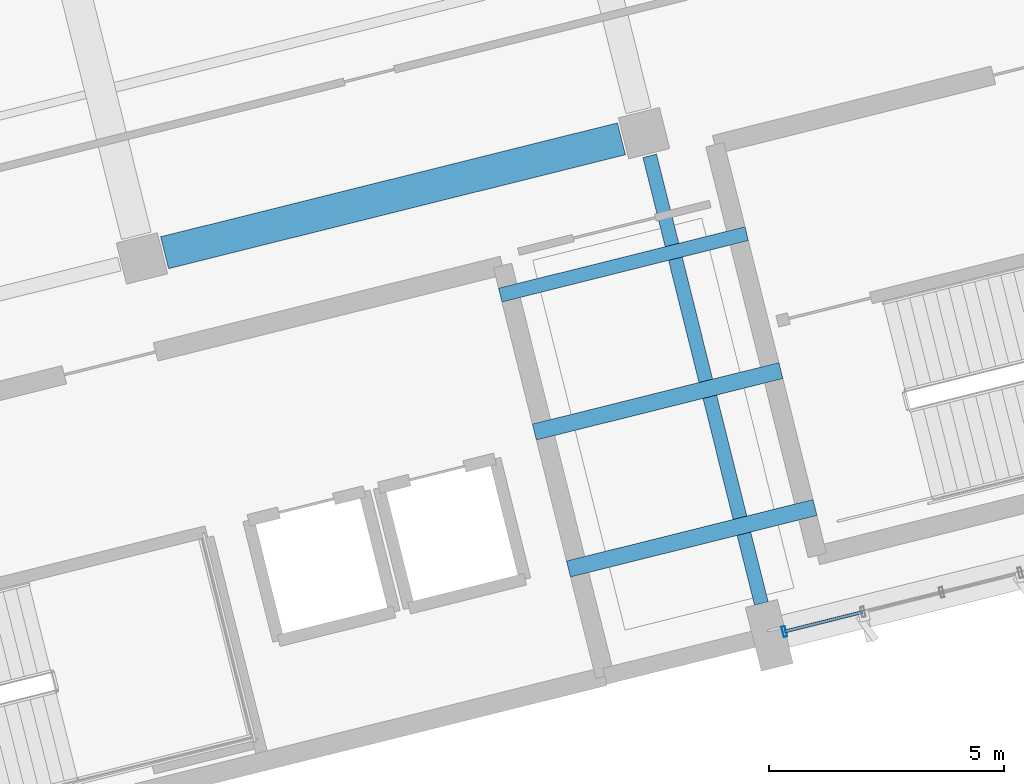
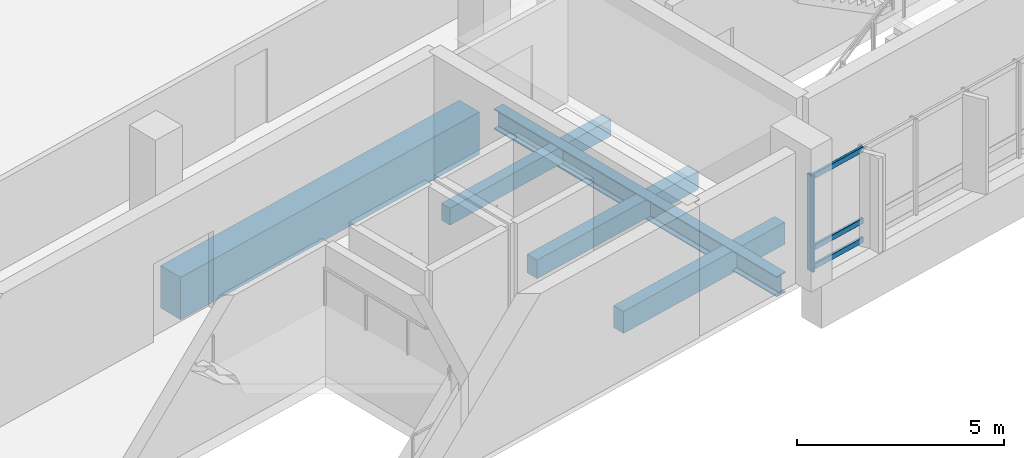
# One storey, part 3 of 42: 5 beams, 4 members, 1 element without a shape of its own.
"""IFC4 building model written with IfcOpenShell, lengths in metres."""

from ifc_helpers import new_model, si_unit, direction, frame, origin, origin_2d, place, context, subcontext, project, spatial, rectangle, hollow_rectangle, i_section, extrude, material, layer, layer_set, material_profile, profile_set, type_object, element, aggregate, save


model = new_model("IFC4")

# Units and contexts
model_context = context("Model", 3, precision=1e-05, world=origin(), true_north=direction((0.0, 1.0)))
body_context = subcontext(model_context, "Body", "Model", "MODEL_VIEW")
ifc_project = project(units=[si_unit("LENGTHUNIT", "METRE"), si_unit("AREAUNIT", "SQUARE_METRE"), si_unit("VOLUMEUNIT", "CUBIC_METRE"), si_unit("PLANEANGLEUNIT", "RADIAN"), si_unit("MASSUNIT", "GRAM", prefix="KILO")], contexts=[model_context])

# Site, building, storey
site_placement = place(None, origin())
site = spatial("IfcSite", under=ifc_project, at=site_placement, CompositionType="ELEMENT")
building_placement = place(site_placement, origin())
building = spatial("IfcBuilding", under=site, at=building_placement, Name="Khorjan Park Terminus", CompositionType="ELEMENT")
storey_placement = place(building_placement, frame((0.0, 0.0, 20.4)))
storey = spatial("IfcBuildingStorey", under=building, at=storey_placement, Name="L04", CompositionType="ELEMENT", Elevation=20.4)

# Beams
ifc_material_1 = material(Name="Steel S355", Category="steel")
ifc_material_profile_1 = material_profile(ifc_material_1, i_section(OverallWidth=0.3, OverallDepth=0.6, WebThickness=0.0155, FlangeThickness=0.03, FilletRadius=0.027, at=origin_2d()), Name="HEB 600")
ifc_profile_set_1 = profile_set([ifc_material_profile_1], Name="Steel S355")
beam_type_1 = type_object("IfcBeamType", Name="BM-HEB600", PredefinedType="BEAM", material=ifc_profile_set_1)
beam_1_placement = place(storey_placement, frame((197.8516, 10.6578, -0.64), z_axis=(-0.241916758476, 0.97029700709, 0.0), x_axis=(-0.97029700709, -0.241916758476, 0.0)))
element("IfcBeam", 1, at=beam_1_placement, inside=storey, type_object=beam_type_1, Name="Primary skew-grid floor girder SB-B60 (L04)", PredefinedType="BEAM", context=body_context, shape_type="SweptSolid", body=[
    extrude(i_section(OverallWidth=0.3, OverallDepth=0.6, WebThickness=0.0155, FlangeThickness=0.03, FilletRadius=0.027, at=origin_2d()), origin(), (0.0, 0.0, 1.0), 9.81),
])
ifc_material_2 = material(Name="Concrete C40/50", Category="concrete")
ifc_material_profile_2 = material_profile(ifc_material_2, rectangle(XDim=0.7, YDim=1.25, at=origin_2d()), Name="RC 700x1250")
ifc_profile_set_2 = profile_set([ifc_material_profile_2], Name="Concrete C40/50")
beam_type_2 = type_object("IfcBeamType", Name="BM-RC700x1250", PredefinedType="BEAM", material=ifc_profile_set_2)
beam_2_placement = place(storey_placement, frame((185.1657, 18.1153, -0.965), z_axis=(0.970296269392, 0.24191971727, 0.0), x_axis=(-0.24191971727, 0.970296269392, 0.0)))
element("IfcBeam", 2, at=beam_2_placement, inside=storey, type_object=beam_type_2, Name="Primary skew-grid floor girder GB-125 (L04)", PredefinedType="BEAM", context=body_context, shape_type="SweptSolid", body=[
    extrude(rectangle(XDim=0.7, YDim=1.25, at=origin_2d()), origin(), (0.0, 0.0, 1.0), 10.0099),
])
ifc_material_profile_3 = material_profile(ifc_material_2, rectangle(XDim=0.3, YDim=0.5, at=origin_2d()), Name="RC 300x500")
ifc_profile_set_3 = profile_set([ifc_material_profile_3], Name="Concrete C40/50")
beam_type_3 = type_object("IfcBeamType", Name="LN-RC300x500", PredefinedType="LINTEL", material=ifc_profile_set_3)
beam_3_placement = place(storey_placement, frame((192.3005, 17.2146, -0.61), z_axis=(0.97029481357, 0.241925556235, 0.0), x_axis=(-0.241925556235, 0.97029481357, 0.0)))
element("IfcBeam", 3, at=beam_3_placement, inside=storey, type_object=beam_type_3, Name="Inter-core coupling lintel beam LN-50 (L04)", PredefinedType="LINTEL", context=body_context, shape_type="SweptSolid", body=[
    extrude(rectangle(XDim=0.3, YDim=0.5, at=origin_2d()), origin(), (0.0, 0.0, 1.0), 5.4),
])
ifc_material_profile_4 = material_profile(ifc_material_2, rectangle(XDim=0.35, YDim=0.55, at=origin_2d()), Name="RC 350x550")
ifc_profile_set_4 = profile_set([ifc_material_profile_4], Name="Concrete C40/50")
beam_type_4 = type_object("IfcBeamType", Name="LN-RC350x550", PredefinedType="LINTEL", material=ifc_profile_set_4)
beam_4_placement = place(storey_placement, frame((193.0263, 14.3037, -0.635), z_axis=(0.97029481357, 0.241925556235, 0.0), x_axis=(-0.241925556235, 0.97029481357, 0.0)))
element("IfcBeam", 4, at=beam_4_placement, inside=storey, type_object=beam_type_4, Name="Inter-core coupling lintel beam LN-55 (L04)", PredefinedType="LINTEL", context=body_context, shape_type="SweptSolid", body=[
    extrude(rectangle(XDim=0.35, YDim=0.55, at=origin_2d()), origin(), (0.0, 0.0, 1.0), 5.4),
])
ifc_material_profile_5 = material_profile(ifc_material_2, rectangle(XDim=0.35, YDim=0.65, at=origin_2d()), Name="RC 350x650")
ifc_profile_set_5 = profile_set([ifc_material_profile_5], Name="Concrete C40/50")
beam_type_5 = type_object("IfcBeamType", Name="LN-RC350x650", PredefinedType="LINTEL", material=ifc_profile_set_5)
beam_5_placement = place(storey_placement, frame((193.752, 11.3928, -0.685), z_axis=(0.97029481357, 0.241925556235, 0.0), x_axis=(-0.241925556235, 0.97029481357, 0.0)))
element("IfcBeam", 5, at=beam_5_placement, inside=storey, type_object=beam_type_5, Name="Inter-core coupling lintel beam LN-65 (L04)", PredefinedType="LINTEL", context=body_context, shape_type="SweptSolid", body=[
    extrude(rectangle(XDim=0.35, YDim=0.65, at=origin_2d()), origin(), (0.0, 0.0, 1.0), 5.4),
])

# Curtain wall, members
ifc_material_3 = material(Name="Anodized Bronze Aluminium", Category="aluminium")
ifc_layer = layer(ifc_material_3, 0.22)
ifc_layer_set = layer_set([ifc_layer], Name="Anodized Bronze Aluminium")
curtain_wall_type = type_object("IfcCurtainWallType", Name="CW-OPS-B", PredefinedType="NOTDEFINED", material=ifc_layer_set)
curtain_wall_placement = place(storey_placement, origin())
curtain_wall = element("IfcCurtainWall", 6, at=curtain_wall_placement, inside=storey, type_object=curtain_wall_type, Name="Unitized curtain wall CW-B (CW-V5-S-L04-B03)", PredefinedType="NOTDEFINED")
ifc_material_profile_6 = material_profile(ifc_material_3, hollow_rectangle(XDim=0.075, YDim=0.225, WallThickness=0.005, InnerFilletRadius=0.005, OuterFilletRadius=0.01, at=origin_2d()), Name="ALM 75x225x5")
ifc_profile_set_6 = profile_set([ifc_material_profile_6], Name="Anodized Bronze Aluminium")
member_type_1 = type_object("IfcMemberType", Name="ML-ALM-225", PredefinedType="MULLION", material=ifc_profile_set_6)
member_1_placement = place(storey_placement, frame((198.3401, 10.0633, -0.035), z_axis=(0.0, 0.0, 1.0), x_axis=(0.970294772494, 0.241925720978, 0.0)))
member_1 = element("IfcMember", 7, at=member_1_placement, type_object=member_type_1, Name="Curtain-wall mullion ML-22 (CW-V5-S-L04-B03-0)", PredefinedType="MULLION", context=body_context, shape_type="SweptSolid", body=[
    extrude(hollow_rectangle(XDim=0.075, YDim=0.225, WallThickness=0.005, InnerFilletRadius=0.005, OuterFilletRadius=0.01, at=origin_2d()), origin(), (0.0, 0.0, 1.0), 2.815),
])
ifc_material_profile_7 = material_profile(ifc_material_3, hollow_rectangle(XDim=0.07, YDim=0.16, WallThickness=0.004, InnerFilletRadius=0.004, OuterFilletRadius=0.008, at=origin_2d()), Name="ALT 70x160x4")
ifc_profile_set_7 = profile_set([ifc_material_profile_7], Name="Anodized Bronze Aluminium")
member_type_2 = type_object("IfcMemberType", Name="TR-ALT-160", PredefinedType="USERDEFINED", material=ifc_profile_set_7)
member_2_placement = place(storey_placement, frame((198.3401, 10.0633, 0.04), z_axis=(0.970295910649, 0.241921156121, 0.0), x_axis=(-0.241921156121, 0.970295910649, 0.0)))
member_2 = element("IfcMember", 8, at=member_2_placement, type_object=member_type_2, Name="Curtain-wall transom TR-16 (CW-V5-S-L04-B03-0-1)", ObjectType="TRANSOM", PredefinedType="USERDEFINED", context=body_context, shape_type="SweptSolid", body=[
    extrude(hollow_rectangle(XDim=0.07, YDim=0.16, WallThickness=0.004, InnerFilletRadius=0.004, OuterFilletRadius=0.008, at=origin_2d()), origin(), (0.0, 0.0, 1.0), 1.7233),
])
member_3_placement = place(storey_placement, frame((198.3401, 10.0633, 0.604), z_axis=(0.970295910649, 0.241921156121, 0.0), x_axis=(-0.241921156121, 0.970295910649, 0.0)))
member_3 = element("IfcMember", 9, at=member_3_placement, type_object=member_type_2, Name="Curtain-wall transom TR-16 (CW-V5-S-L04-B03-0-2)", ObjectType="TRANSOM", PredefinedType="USERDEFINED", context=body_context, shape_type="SweptSolid", body=[
    extrude(hollow_rectangle(XDim=0.07, YDim=0.16, WallThickness=0.004, InnerFilletRadius=0.004, OuterFilletRadius=0.008, at=origin_2d()), origin(), (0.0, 0.0, 1.0), 1.7233),
])
member_4_placement = place(storey_placement, frame((198.3401, 10.0633, 2.705), z_axis=(0.970295910649, 0.241921156121, 0.0), x_axis=(-0.241921156121, 0.970295910649, 0.0)))
member_4 = element("IfcMember", 10, at=member_4_placement, type_object=member_type_2, Name="Curtain-wall transom TR-16 (CW-V5-S-L04-B03-0-3)", ObjectType="TRANSOM", PredefinedType="USERDEFINED", context=body_context, shape_type="SweptSolid", body=[
    extrude(hollow_rectangle(XDim=0.07, YDim=0.16, WallThickness=0.004, InnerFilletRadius=0.004, OuterFilletRadius=0.008, at=origin_2d()), origin(), (0.0, 0.0, 1.0), 1.7233),
])
aggregate(curtain_wall, [member_1, member_2, member_3, member_4])

save(model, "model.ifc")
